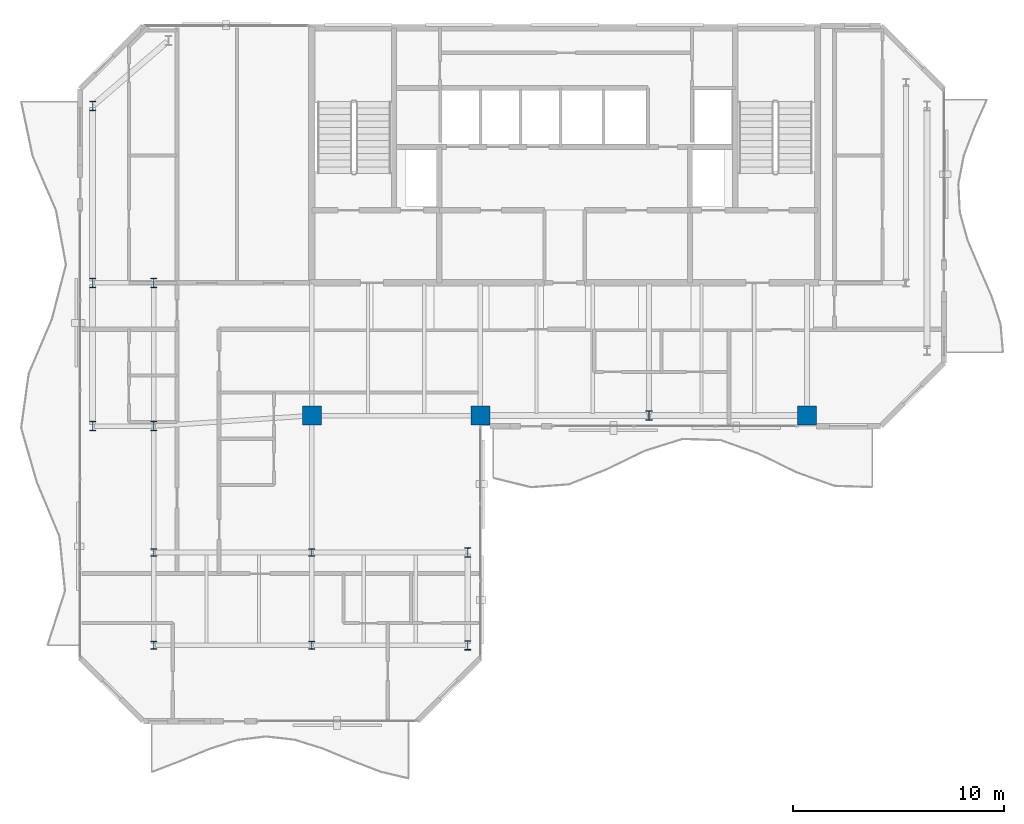
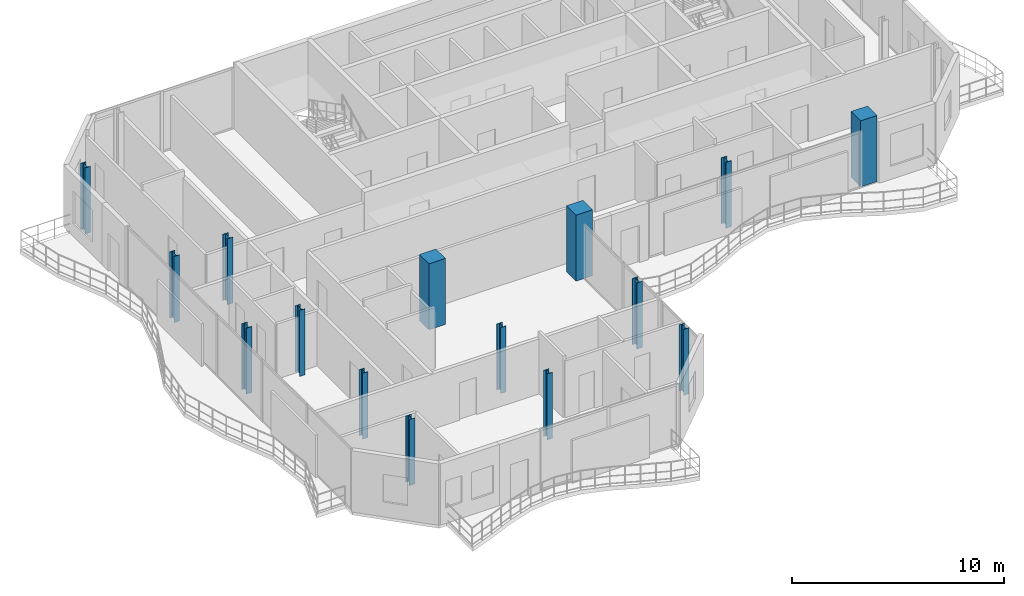
# One storey, part 1 of 23: 15 columns.
"""IFC4 building model written with IfcOpenShell, lengths in metres."""

from ifc_helpers import new_model, si_unit, direction, frame, origin, origin_2d, place, context, subcontext, project, spatial, rectangle, i_section, extrude, material, material_profile, profile_set, type_object, element, save


model = new_model("IFC4")

# Units and contexts
model_context = context("Model", 3, precision=1e-05, world=origin(), true_north=direction((0.0, 1.0)))
body_context = subcontext(model_context, "Body", "Model", "MODEL_VIEW")
ifc_project = project(units=[si_unit("LENGTHUNIT", "METRE"), si_unit("AREAUNIT", "SQUARE_METRE"), si_unit("VOLUMEUNIT", "CUBIC_METRE"), si_unit("PLANEANGLEUNIT", "RADIAN"), si_unit("MASSUNIT", "GRAM", prefix="KILO")], contexts=[model_context])

# Site, building, storey
site_placement = place(None, origin())
site = spatial("IfcSite", under=ifc_project, at=site_placement, CompositionType="ELEMENT")
building_placement = place(site_placement, origin())
building = spatial("IfcBuilding", under=site, at=building_placement, Name="Catumbela Crestline Tower", CompositionType="ELEMENT")
storey_placement = place(building_placement, frame((0.0, 0.0, 241.2)))
storey = spatial("IfcBuildingStorey", under=building, at=storey_placement, Name="L62", CompositionType="ELEMENT", Elevation=241.2)

# Columns
ifc_material_1 = material(Name="Concrete C45/55", Category="concrete")
ifc_material_profile_1 = material_profile(ifc_material_1, rectangle(XDim=0.9, YDim=0.9, at=origin_2d()), Name="RC 900x900")
ifc_profile_set_1 = profile_set([ifc_material_profile_1], Name="Concrete C45/55")
column_type_1 = type_object("IfcColumnType", Name="C-RC900-C45", PredefinedType="COLUMN", material=ifc_profile_set_1)
for number, where, z_axis, x_axis, name in (
    (1, (16.0, 24.5, 0.0), (0.0, 0.0, 1.0), (1.0, 0.0, 0.0), "L62 Column C-16-24 (RC 900x900)"),
    (2, (24.0, 24.5, 0.0), (0.0, 0.0, 1.0), (1.0, 0.0, 0.0), "L62 Column C-24-24 (RC 900x900)"),
    (3, (39.5, 24.5, 0.0), (0.0, 0.0, 1.0), (1.0, 0.0, 0.0), "L62 Column C-40-24 (RC 900x900)"),
):
    element("IfcColumn", number, at=place(storey_placement, frame(where, z_axis=z_axis, x_axis=x_axis)), inside=storey, type_object=column_type_1, Name=name, PredefinedType="COLUMN", context=body_context, shape_type="SweptSolid", body=[
        extrude(rectangle(XDim=0.9, YDim=0.9, at=origin_2d()), origin(), (0.0, 0.0, 1.0), 3.8),
    ])
ifc_material_2 = material(Name="Structural steel S355J2", Category="steel")
ifc_material_profile_2 = material_profile(ifc_material_2, i_section(OverallWidth=0.3, OverallDepth=0.36, WebThickness=0.0125, FlangeThickness=0.0225, FilletRadius=0.027, at=origin_2d()), Name="HEB 360")
ifc_profile_set_2 = profile_set([ifc_material_profile_2], Name="Structural steel S355J2")
column_type_2 = type_object("IfcColumnType", Name="C-ST-HEB360", PredefinedType="COLUMN", material=ifc_profile_set_2)
for number, where, z_axis, x_axis, name in (
    (4, (8.5, 13.6, 0.0), (0.0, 0.0, 1.0), (1.0, 0.0, 0.0), "L62 Column CT-05-10 (HEB 360)"),
    (5, (16.0, 13.6, 0.0), (0.0, 0.0, 1.0), (1.0, 0.0, 0.0), "L62 Column CT-14-10 (HEB 360)"),
    (6, (8.5, 18.0, 0.0), (0.0, 0.0, 1.0), (1.0, 0.0, 0.0), "L62 Column CT-05-16 (HEB 360)"),
    (7, (16.0, 18.0, 0.0), (0.0, 0.0, 1.0), (1.0, 0.0, 0.0), "L62 Column CT-14-16 (HEB 360)"),
):
    element("IfcColumn", number, at=place(storey_placement, frame(where, z_axis=z_axis, x_axis=x_axis)), inside=storey, type_object=column_type_2, Name=name, PredefinedType="COLUMN", context=body_context, shape_type="SweptSolid", body=[
        extrude(i_section(OverallWidth=0.3, OverallDepth=0.36, WebThickness=0.0125, FlangeThickness=0.0225, FilletRadius=0.027, at=origin_2d()), origin(), (0.0, 0.0, 1.0), 3.8),
    ])
ifc_material_profile_3 = material_profile(ifc_material_2, i_section(OverallWidth=0.3, OverallDepth=0.45, WebThickness=0.014, FlangeThickness=0.026, FilletRadius=0.027, at=origin_2d()), Name="HEB 450")
ifc_profile_set_3 = profile_set([ifc_material_profile_3], Name="Structural steel S355J2")
column_type_3 = type_object("IfcColumnType", Name="C-ST-HEB450", PredefinedType="COLUMN", material=ifc_profile_set_3)
for number, where, z_axis, x_axis, name in (
    (8, (8.5, 24.0, 0.0), (0.0, 0.0, 1.0), (1.0, 0.0, 0.0), "L62 Column C-08-24 (HEB 450)"),
    (9, (32.0, 24.5, 0.0), (0.0, 0.0, 1.0), (1.0, 0.0, 0.0), "L62 Column C-32-24 (HEB 450)"),
    (10, (5.6, 24.0, 0.0), (0.0, 0.0, 1.0), (1.0, 0.0, 0.0), "L62 Column C-05-24 (HEB 450)"),
    (11, (5.6, 30.8, 0.0), (0.0, 0.0, 1.0), (1.0, 0.0, 0.0), "L62 Column C-05-31 (HEB 450)"),
    (12, (5.6, 39.2, 0.0), (0.0, 0.0, 1.0), (1.0, 0.0, 0.0), "L62 Column C-05-43 (HEB 450)"),
    (13, (8.5, 30.8, 0.0), (0.0, 0.0, 1.0), (1.0, 0.0, 0.0), "L62 Column C-08-31 (HEB 450)"),
    (14, (23.4, 13.6, 0.0), (0.0, 0.0, 1.0), (1.0, 0.0, 0.0), "L62 Column C-24-10 (HEB 450)"),
    (15, (23.4, 18.0, 0.0), (0.0, 0.0, 1.0), (1.0, 0.0, 0.0), "L62 Column C-24-16 (HEB 450)"),
):
    element("IfcColumn", number, at=place(storey_placement, frame(where, z_axis=z_axis, x_axis=x_axis)), inside=storey, type_object=column_type_3, Name=name, PredefinedType="COLUMN", context=body_context, shape_type="SweptSolid", body=[
        extrude(i_section(OverallWidth=0.3, OverallDepth=0.45, WebThickness=0.014, FlangeThickness=0.026, FilletRadius=0.027, at=origin_2d()), origin(), (0.0, 0.0, 1.0), 3.8),
    ])

save(model, "model.ifc")
